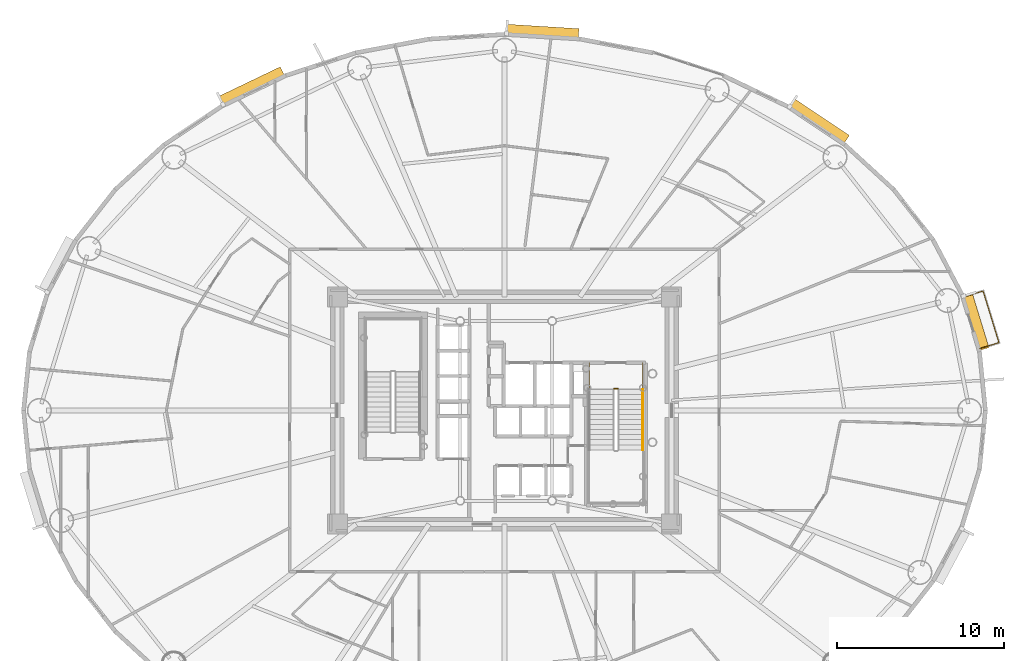
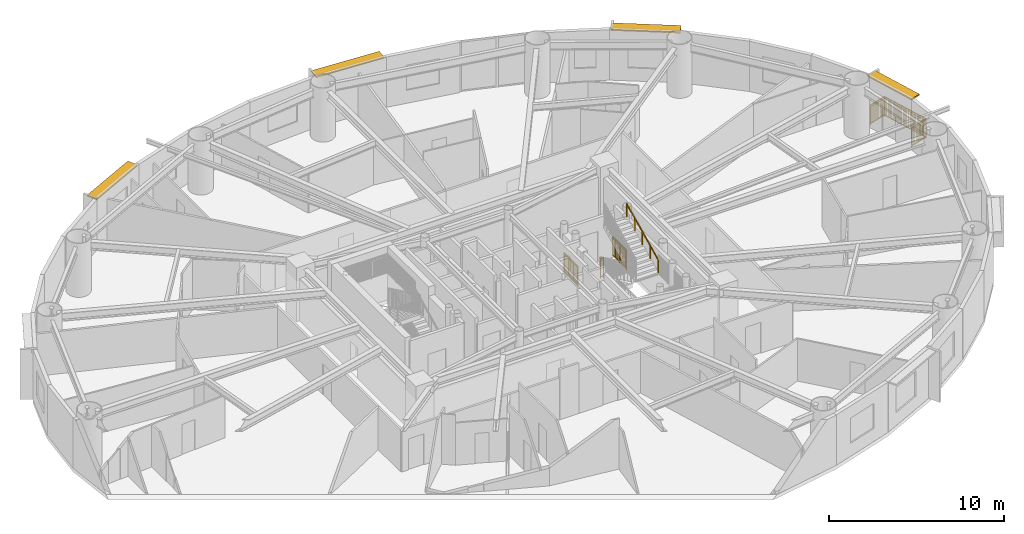
# One storey, part 18 of 18: 5 railings, 4 shading devices.
"""IFC4 building model written with IfcOpenShell, lengths in metres."""

from ifc_helpers import new_model, si_unit, direction, frame, origin, origin_2d, place, context, subcontext, project, spatial, rectangle, extrude, source, transform, mapped, material, layer, layer_set, type_object, element, save


model = new_model("IFC4")

# Units and contexts
model_context = context("Model", 3, precision=1e-05, world=origin(), true_north=direction((0.0, 1.0)))
body_context = subcontext(model_context, "Body", "Model", "MODEL_VIEW")
ifc_project = project(units=[si_unit("LENGTHUNIT", "METRE"), si_unit("AREAUNIT", "SQUARE_METRE"), si_unit("VOLUMEUNIT", "CUBIC_METRE"), si_unit("PLANEANGLEUNIT", "RADIAN"), si_unit("MASSUNIT", "GRAM", prefix="KILO")], contexts=[model_context])

# Site, building, storey
site_placement = place(None, origin())
site = spatial("IfcSite", under=ifc_project, at=site_placement, CompositionType="ELEMENT")
building_placement = place(site_placement, origin())
building = spatial("IfcBuilding", under=site, at=building_placement, Name="Linh Dai School and Residence Tower", CompositionType="ELEMENT")
storey_placement = place(building_placement, frame((0.0, 0.0, 100.949951171875)))
storey = spatial("IfcBuildingStorey", under=building, at=storey_placement, Name="L23", CompositionType="ELEMENT", Elevation=100.949951171875)

# Shading devices
ifc_material_1 = material(Name="Terracotta Ceramic Sunshade", Category="masonry")
ifc_layer = layer(ifc_material_1, 0.10009765625)
ifc_layer_set = layer_set([ifc_layer], Name="Terracotta Ceramic Sunshade")
shading_device_type = type_object("IfcShadingDeviceType", Name="SHD-TC-650", PredefinedType="USERDEFINED", material=ifc_layer_set)
shared_shape_1 = source(origin(), body_context, "Body", "SweptSolid", [
    extrude(rectangle(XDim=3.44384765625, YDim=0.64990234375, at=origin_2d()), origin(), (0.0, 0.0, 1.0), 0.10009765625),
])
shading_device_1_placement = place(storey_placement, frame((64.16845703125, 32.313720703125, 3.3798828125), z_axis=(0.0, 0.0, 1.0), x_axis=(0.293133528962, -0.956071511028, 0.0)))
element("IfcShadingDevice", 1, at=shading_device_1_placement, inside=storey, type_object=shading_device_type, Name="L23 Terracotta Horizontal Sunshade Band 02", ObjectType="SUNSHADE", PredefinedType="USERDEFINED", context=body_context, shape_type="MappedRepresentation", body=[
    mapped(shared_shape_1, transform((0.0, 0.0, 0.0), x_axis=(1.0, 0.0, 0.0), y_axis=(0.0, 1.0, 0.0), z_axis=(0.0, 0.0, 1.0), scale=1.0)),
])
shared_shape_2 = source(origin(), body_context, "Body", "SweptSolid", [
    extrude(rectangle(XDim=3.96484375, YDim=0.64990234375, at=origin_2d()), origin(), (0.0, 0.0, 1.0), 0.10009765625),
])
shading_device_2_placement = place(storey_placement, frame((54.80029296875, 44.288330078125, 3.3798828125), z_axis=(0.0, 0.0, 1.0), x_axis=(0.831240347736, -0.555913198527, 0.0)))
element("IfcShadingDevice", 2, at=shading_device_2_placement, inside=storey, type_object=shading_device_type, Name="L23 Terracotta Horizontal Sunshade Band 06", ObjectType="SUNSHADE", PredefinedType="USERDEFINED", context=body_context, shape_type="MappedRepresentation", body=[
    mapped(shared_shape_2, transform((0.0, 0.0, 0.0), x_axis=(1.0, 0.0, 0.0), y_axis=(0.0, 1.0, 0.0), z_axis=(0.0, 0.0, 1.0), scale=1.0)),
])
shared_shape_3 = source(origin(), body_context, "Body", "SweptSolid", [
    extrude(rectangle(XDim=4.33349609375, YDim=0.64990234375, at=origin_2d()), origin(), (0.0, 0.0, 1.0), 0.10009765625),
])
shading_device_3_placement = place(storey_placement, frame((38.270263671875, 49.650634765625, 3.3798828125), z_axis=(0.0, 0.0, 1.0), x_axis=(0.998106513123, -0.061509255091, 0.0)))
element("IfcShadingDevice", 3, at=shading_device_3_placement, inside=storey, type_object=shading_device_type, Name="L23 Terracotta Horizontal Sunshade Band 10", ObjectType="SUNSHADE", PredefinedType="USERDEFINED", context=body_context, shape_type="MappedRepresentation", body=[
    mapped(shared_shape_3, transform((0.0, 0.0, 0.0), x_axis=(1.0, 0.0, 0.0), y_axis=(0.0, 1.0, 0.0), z_axis=(0.0, 0.0, 1.0), scale=1.0)),
])
shared_shape_4 = source(origin(), body_context, "Body", "SweptSolid", [
    extrude(rectangle(XDim=4.1005859375, YDim=0.64990234375, at=origin_2d()), origin(), (0.0, 0.0, 1.0), 0.10009765625),
])
shading_device_4_placement = place(storey_placement, frame((20.877197265625, 46.38037109375, 3.3798828125), z_axis=(0.0, 0.0, 1.0), x_axis=(0.901577518371, 0.432617589064, 0.0)))
element("IfcShadingDevice", 4, at=shading_device_4_placement, inside=storey, type_object=shading_device_type, Name="L23 Terracotta Horizontal Sunshade Band 14", ObjectType="SUNSHADE", PredefinedType="USERDEFINED", context=body_context, shape_type="MappedRepresentation", body=[
    mapped(shared_shape_4, transform((0.0, 0.0, 0.0), x_axis=(1.0, 0.0, 0.0), y_axis=(0.0, 1.0, 0.0), z_axis=(0.0, 0.0, 1.0), scale=1.0)),
])

# Railings
ifc_material_2 = material(Name="Structural Steel S355JR", Category="steel")
railing_type_1 = type_object("IfcRailingType", Name="RL-BAL-1400", PredefinedType="BALUSTRADE", material=ifc_material_2)
shared_shape_5 = source(origin(), body_context, "Body", "SweptSolid", [
    extrude(rectangle(XDim=0.048095703125, YDim=0.048095703125, at=origin_2d()), frame((0.0, 0.0, 1.3759765625), z_axis=(0.95606039398, 0.293169785386, 0.0), x_axis=(-0.293169785386, 0.95606039398, 0.0)), (0.0, 0.0, 1.0), 1.179931640625),
    extrude(rectangle(XDim=0.048095703125, YDim=0.048095703125, at=origin_2d()), frame((0.0, 0.0, 0.10009765625), z_axis=(0.95606039398, 0.293169785386, 0.0), x_axis=(-0.293169785386, 0.95606039398, 0.0)), (0.0, 0.0, 1.0), 1.179931640625),
    extrude(rectangle(XDim=0.030029296875, YDim=0.030029296875, at=origin_2d()), frame((0.0, 0.0, 1.239990234375), z_axis=(0.95606039398, 0.293169785386, 0.0), x_axis=(-0.293169785386, 0.95606039398, 0.0)), (0.0, 0.0, 1.0), 1.179931640625),
    extrude(rectangle(XDim=0.02001953125, YDim=0.02001953125, at=origin_2d()), frame((0.086669921875, 0.026611328125, 0.10009765625)), (0.0, 0.0, 1.0), 1.251708984375),
    extrude(rectangle(XDim=0.02001953125, YDim=0.02001953125, at=origin_2d()), frame((0.173583984375, 0.05322265625, 0.10009765625)), (0.0, 0.0, 1.0), 1.251708984375),
    extrude(rectangle(XDim=0.02001953125, YDim=0.02001953125, at=origin_2d()), frame((0.26025390625, 0.079833984375, 0.10009765625)), (0.0, 0.0, 1.0), 1.251708984375),
    extrude(rectangle(XDim=0.02001953125, YDim=0.02001953125, at=origin_2d()), frame((0.34716796875, 0.1064453125, 0.10009765625)), (0.0, 0.0, 1.0), 1.251708984375),
    extrude(rectangle(XDim=0.02001953125, YDim=0.02001953125, at=origin_2d()), frame((0.433837890625, 0.133056640625, 0.10009765625)), (0.0, 0.0, 1.0), 1.251708984375),
    extrude(rectangle(XDim=0.02001953125, YDim=0.02001953125, at=origin_2d()), frame((0.520751953125, 0.15966796875, 0.10009765625)), (0.0, 0.0, 1.0), 1.251708984375),
    extrude(rectangle(XDim=0.02001953125, YDim=0.02001953125, at=origin_2d()), frame((0.607421875, 0.186279296875, 0.10009765625)), (0.0, 0.0, 1.0), 1.251708984375),
    extrude(rectangle(XDim=0.02001953125, YDim=0.02001953125, at=origin_2d()), frame((0.6943359375, 0.212890625, 0.10009765625)), (0.0, 0.0, 1.0), 1.251708984375),
    extrude(rectangle(XDim=0.02001953125, YDim=0.02001953125, at=origin_2d()), frame((0.781005859375, 0.239501953125, 0.10009765625)), (0.0, 0.0, 1.0), 1.251708984375),
    extrude(rectangle(XDim=0.02001953125, YDim=0.02001953125, at=origin_2d()), frame((0.867919921875, 0.26611328125, 0.10009765625)), (0.0, 0.0, 1.0), 1.251708984375),
    extrude(rectangle(XDim=0.02001953125, YDim=0.02001953125, at=origin_2d()), frame((0.95458984375, 0.292724609375, 0.10009765625)), (0.0, 0.0, 1.0), 1.251708984375),
    extrude(rectangle(XDim=0.02001953125, YDim=0.02001953125, at=origin_2d()), frame((1.04150390625, 0.3193359375, 0.10009765625)), (0.0, 0.0, 1.0), 1.251708984375),
    extrude(rectangle(XDim=0.048095703125, YDim=0.048095703125, at=origin_2d()), frame((1.128173828125, 0.345947265625, 1.3759765625), z_axis=(0.293144780589, -0.956068061183, 0.0), x_axis=(0.956068061183, 0.293144780589, 0.0)), (0.0, 0.0, 1.0), 3.227294921875),
    extrude(rectangle(XDim=0.048095703125, YDim=0.048095703125, at=origin_2d()), frame((1.128173828125, 0.345947265625, 0.10009765625), z_axis=(0.293144780589, -0.956068061183, 0.0), x_axis=(0.956068061183, 0.293144780589, 0.0)), (0.0, 0.0, 1.0), 3.227294921875),
    extrude(rectangle(XDim=0.030029296875, YDim=0.030029296875, at=origin_2d()), frame((1.128173828125, 0.345947265625, 1.239990234375), z_axis=(0.293144780589, -0.956068061183, 0.0), x_axis=(0.956068061183, 0.293144780589, 0.0)), (0.0, 0.0, 1.0), 3.227294921875),
    extrude(rectangle(XDim=0.02001953125, YDim=0.02001953125, at=origin_2d()), frame((1.15673828125, 0.25244140625, 0.10009765625)), (0.0, 0.0, 1.0), 1.251708984375),
    extrude(rectangle(XDim=0.02001953125, YDim=0.02001953125, at=origin_2d()), frame((1.185546875, 0.158935546875, 0.10009765625)), (0.0, 0.0, 1.0), 1.251708984375),
    extrude(rectangle(XDim=0.02001953125, YDim=0.02001953125, at=origin_2d()), frame((1.214111328125, 0.0654296875, 0.10009765625)), (0.0, 0.0, 1.0), 1.251708984375),
    extrude(rectangle(XDim=0.02001953125, YDim=0.02001953125, at=origin_2d()), frame((1.242919921875, -0.028076171875, 0.10009765625)), (0.0, 0.0, 1.0), 1.251708984375),
    extrude(rectangle(XDim=0.02001953125, YDim=0.02001953125, at=origin_2d()), frame((1.271484375, -0.12158203125, 0.10009765625)), (0.0, 0.0, 1.0), 1.251708984375),
    extrude(rectangle(XDim=0.02001953125, YDim=0.02001953125, at=origin_2d()), frame((1.30029296875, -0.215087890625, 0.10009765625)), (0.0, 0.0, 1.0), 1.251708984375),
    extrude(rectangle(XDim=0.02001953125, YDim=0.02001953125, at=origin_2d()), frame((1.328857421875, -0.30859375, 0.10009765625)), (0.0, 0.0, 1.0), 1.251708984375),
    extrude(rectangle(XDim=0.02001953125, YDim=0.02001953125, at=origin_2d()), frame((1.357421875, -0.402099609375, 0.10009765625)), (0.0, 0.0, 1.0), 1.251708984375),
    extrude(rectangle(XDim=0.02001953125, YDim=0.02001953125, at=origin_2d()), frame((1.38623046875, -0.49560546875, 0.10009765625)), (0.0, 0.0, 1.0), 1.251708984375),
    extrude(rectangle(XDim=0.02001953125, YDim=0.02001953125, at=origin_2d()), frame((1.414794921875, -0.589111328125, 0.10009765625)), (0.0, 0.0, 1.0), 1.251708984375),
    extrude(rectangle(XDim=0.02001953125, YDim=0.02001953125, at=origin_2d()), frame((1.47216796875, -0.776123046875, 0.10009765625)), (0.0, 0.0, 1.0), 1.251708984375),
    extrude(rectangle(XDim=0.02001953125, YDim=0.02001953125, at=origin_2d()), frame((1.5009765625, -0.86962890625, 0.10009765625)), (0.0, 0.0, 1.0), 1.251708984375),
    extrude(rectangle(XDim=0.02001953125, YDim=0.02001953125, at=origin_2d()), frame((1.529541015625, -0.963134765625, 0.10009765625)), (0.0, 0.0, 1.0), 1.251708984375),
    extrude(rectangle(XDim=0.02001953125, YDim=0.02001953125, at=origin_2d()), frame((1.55810546875, -1.056640625, 0.10009765625)), (0.0, 0.0, 1.0), 1.251708984375),
    extrude(rectangle(XDim=0.02001953125, YDim=0.02001953125, at=origin_2d()), frame((1.5869140625, -1.150146484375, 0.10009765625)), (0.0, 0.0, 1.0), 1.251708984375),
    extrude(rectangle(XDim=0.02001953125, YDim=0.02001953125, at=origin_2d()), frame((1.615478515625, -1.243408203125, 0.10009765625)), (0.0, 0.0, 1.0), 1.251708984375),
    extrude(rectangle(XDim=0.02001953125, YDim=0.02001953125, at=origin_2d()), frame((1.644287109375, -1.3369140625, 0.10009765625)), (0.0, 0.0, 1.0), 1.251708984375),
    extrude(rectangle(XDim=0.02001953125, YDim=0.02001953125, at=origin_2d()), frame((1.6728515625, -1.430419921875, 0.10009765625)), (0.0, 0.0, 1.0), 1.251708984375),
    extrude(rectangle(XDim=0.02001953125, YDim=0.02001953125, at=origin_2d()), frame((1.701416015625, -1.52392578125, 0.10009765625)), (0.0, 0.0, 1.0), 1.251708984375),
    extrude(rectangle(XDim=0.02001953125, YDim=0.02001953125, at=origin_2d()), frame((1.730224609375, -1.617431640625, 0.10009765625)), (0.0, 0.0, 1.0), 1.251708984375),
    extrude(rectangle(XDim=0.02001953125, YDim=0.02001953125, at=origin_2d()), frame((1.78759765625, -1.804443359375, 0.10009765625)), (0.0, 0.0, 1.0), 1.251708984375),
    extrude(rectangle(XDim=0.02001953125, YDim=0.02001953125, at=origin_2d()), frame((1.816162109375, -1.89794921875, 0.10009765625)), (0.0, 0.0, 1.0), 1.251708984375),
    extrude(rectangle(XDim=0.02001953125, YDim=0.02001953125, at=origin_2d()), frame((1.844970703125, -1.991455078125, 0.10009765625)), (0.0, 0.0, 1.0), 1.251708984375),
    extrude(rectangle(XDim=0.02001953125, YDim=0.02001953125, at=origin_2d()), frame((1.87353515625, -2.0849609375, 0.10009765625)), (0.0, 0.0, 1.0), 1.251708984375),
    extrude(rectangle(XDim=0.02001953125, YDim=0.02001953125, at=origin_2d()), frame((1.902099609375, -2.178466796875, 0.10009765625)), (0.0, 0.0, 1.0), 1.251708984375),
    extrude(rectangle(XDim=0.02001953125, YDim=0.02001953125, at=origin_2d()), frame((1.930908203125, -2.27197265625, 0.10009765625)), (0.0, 0.0, 1.0), 1.251708984375),
    extrude(rectangle(XDim=0.02001953125, YDim=0.02001953125, at=origin_2d()), frame((1.95947265625, -2.365478515625, 0.10009765625)), (0.0, 0.0, 1.0), 1.251708984375),
    extrude(rectangle(XDim=0.02001953125, YDim=0.02001953125, at=origin_2d()), frame((1.98828125, -2.458984375, 0.10009765625)), (0.0, 0.0, 1.0), 1.251708984375),
    extrude(rectangle(XDim=0.02001953125, YDim=0.02001953125, at=origin_2d()), frame((2.016845703125, -2.552490234375, 0.10009765625)), (0.0, 0.0, 1.0), 1.251708984375),
    extrude(rectangle(XDim=0.02001953125, YDim=0.02001953125, at=origin_2d()), frame((2.045654296875, -2.64599609375, 0.10009765625)), (0.0, 0.0, 1.0), 1.251708984375),
    extrude(rectangle(XDim=0.048095703125, YDim=0.048095703125, at=origin_2d()), frame((2.07421875, -2.739501953125, 1.3759765625), z_axis=(-0.95606039398, -0.293169785386, 0.0), x_axis=(0.293169785386, -0.95606039398, 0.0)), (0.0, 0.0, 1.0), 1.179931640625),
    extrude(rectangle(XDim=0.048095703125, YDim=0.048095703125, at=origin_2d()), frame((2.07421875, -2.739501953125, 0.10009765625), z_axis=(-0.95606039398, -0.293169785386, 0.0), x_axis=(0.293169785386, -0.95606039398, 0.0)), (0.0, 0.0, 1.0), 1.179931640625),
    extrude(rectangle(XDim=0.030029296875, YDim=0.030029296875, at=origin_2d()), frame((2.07421875, -2.739501953125, 1.239990234375), z_axis=(-0.95606039398, -0.293169785386, 0.0), x_axis=(0.293169785386, -0.95606039398, 0.0)), (0.0, 0.0, 1.0), 1.179931640625),
    extrude(rectangle(XDim=0.02001953125, YDim=0.02001953125, at=origin_2d()), frame((1.987548828125, -2.76611328125, 0.10009765625)), (0.0, 0.0, 1.0), 1.251708984375),
    extrude(rectangle(XDim=0.02001953125, YDim=0.02001953125, at=origin_2d()), frame((1.900634765625, -2.792724609375, 0.10009765625)), (0.0, 0.0, 1.0), 1.251708984375),
    extrude(rectangle(XDim=0.02001953125, YDim=0.02001953125, at=origin_2d()), frame((1.81396484375, -2.8193359375, 0.10009765625)), (0.0, 0.0, 1.0), 1.251708984375),
    extrude(rectangle(XDim=0.02001953125, YDim=0.02001953125, at=origin_2d()), frame((1.72705078125, -2.845947265625, 0.10009765625)), (0.0, 0.0, 1.0), 1.251708984375),
    extrude(rectangle(XDim=0.02001953125, YDim=0.02001953125, at=origin_2d()), frame((1.640380859375, -2.87255859375, 0.10009765625)), (0.0, 0.0, 1.0), 1.251708984375),
    extrude(rectangle(XDim=0.02001953125, YDim=0.02001953125, at=origin_2d()), frame((1.553466796875, -2.899169921875, 0.10009765625)), (0.0, 0.0, 1.0), 1.251708984375),
    extrude(rectangle(XDim=0.02001953125, YDim=0.02001953125, at=origin_2d()), frame((1.466796875, -2.92578125, 0.10009765625)), (0.0, 0.0, 1.0), 1.251708984375),
    extrude(rectangle(XDim=0.02001953125, YDim=0.02001953125, at=origin_2d()), frame((1.3798828125, -2.952392578125, 0.10009765625)), (0.0, 0.0, 1.0), 1.251708984375),
    extrude(rectangle(XDim=0.02001953125, YDim=0.02001953125, at=origin_2d()), frame((1.293212890625, -2.97900390625, 0.10009765625)), (0.0, 0.0, 1.0), 1.251708984375),
    extrude(rectangle(XDim=0.02001953125, YDim=0.02001953125, at=origin_2d()), frame((1.206298828125, -3.005615234375, 0.10009765625)), (0.0, 0.0, 1.0), 1.251708984375),
    extrude(rectangle(XDim=0.02001953125, YDim=0.02001953125, at=origin_2d()), frame((1.11962890625, -3.0322265625, 0.10009765625)), (0.0, 0.0, 1.0), 1.251708984375),
    extrude(rectangle(XDim=0.02001953125, YDim=0.02001953125, at=origin_2d()), frame((1.03271484375, -3.058837890625, 0.10009765625)), (0.0, 0.0, 1.0), 1.251708984375),
    extrude(rectangle(XDim=0.0419921875, YDim=0.0419921875, at=origin_2d()), origin(), (0.0, 0.0, 1.0), 1.3759765625),
    extrude(rectangle(XDim=0.0419921875, YDim=0.0419921875, at=origin_2d()), frame((1.128173828125, 0.345947265625, 0.0)), (0.0, 0.0, 1.0), 1.3759765625),
    extrude(rectangle(XDim=0.0419921875, YDim=0.0419921875, at=origin_2d()), frame((1.443603515625, -0.6826171875, 0.0)), (0.0, 0.0, 1.0), 1.3759765625),
    extrude(rectangle(XDim=0.0419921875, YDim=0.0419921875, at=origin_2d()), frame((1.7587890625, -1.7109375, 0.0)), (0.0, 0.0, 1.0), 1.3759765625),
    extrude(rectangle(XDim=0.0419921875, YDim=0.0419921875, at=origin_2d()), frame((2.07421875, -2.739501953125, 0.0)), (0.0, 0.0, 1.0), 1.3759765625),
    extrude(rectangle(XDim=0.0419921875, YDim=0.0419921875, at=origin_2d()), frame((0.946044921875, -3.08544921875, 0.0)), (0.0, 0.0, 1.0), 1.3759765625),
])
railing_1_placement = place(storey_placement, frame((63.504150390625, 33.7978515625, 0.0)))
element("IfcRailing", 5, at=railing_1_placement, inside=storey, type_object=railing_type_1, Name="L23 Balcony Safety Balustrade 02", PredefinedType="BALUSTRADE", context=body_context, shape_type="MappedRepresentation", body=[
    mapped(shared_shape_5, transform((0.0, 0.0, 0.0), x_axis=(1.0, 0.0, 0.0), y_axis=(0.0, 1.0, 0.0), z_axis=(0.0, 0.0, 1.0), scale=1.0)),
])
ifc_material_3 = material(Name="Brushed Stainless Steel Handrail", Category="steel")
railing_type_2 = type_object("IfcRailingType", Name="RL-ST-HANDRAIL-900", PredefinedType="HANDRAIL", material=ifc_material_3)
shared_shape_6 = source(origin(), body_context, "Body", "SweptSolid", [
    extrude(rectangle(XDim=0.048095703125, YDim=0.048095703125, at=origin_2d()), frame((0.0, 0.0, 0.8759765625), z_axis=(0.0, 0.901262522062, 0.433273431364), x_axis=(-1.0, 0.0, 0.0)), (0.0, 0.0, 1.0), 3.994384765625),
    extrude(rectangle(XDim=0.0419921875, YDim=0.0419921875, at=origin_2d()), origin(), (0.0, 0.0, 1.0), 0.8759765625),
    extrude(rectangle(XDim=0.0419921875, YDim=0.0419921875, at=origin_2d()), frame((0.0, 0.89990234375, 0.4326171875)), (0.0, 0.0, 1.0), 0.8759765625),
    extrude(rectangle(XDim=0.0419921875, YDim=0.0419921875, at=origin_2d()), frame((0.0, 1.800048828125, 0.865234375)), (0.0, 0.0, 1.0), 0.8759765625),
    extrude(rectangle(XDim=0.0419921875, YDim=0.0419921875, at=origin_2d()), frame((0.0, 2.7001953125, 1.298095703125)), (0.0, 0.0, 1.0), 0.8759765625),
    extrude(rectangle(XDim=0.0419921875, YDim=0.0419921875, at=origin_2d()), frame((0.0, 3.60009765625, 1.730712890625)), (0.0, 0.0, 1.0), 0.8759765625),
])
railing_2_placement = place(storey_placement, frame((44.27001953125, 24.64990234375, 2.019287109375)))
element("IfcRailing", 6, at=railing_2_placement, inside=storey, type_object=railing_type_2, Name="L23 ST2 stair handrail 2", PredefinedType="HANDRAIL", context=body_context, shape_type="MappedRepresentation", body=[
    mapped(shared_shape_6, transform((0.0, 0.0, 0.0), x_axis=(1.0, 0.0, 0.0), y_axis=(0.0, 1.0, 0.0), z_axis=(0.0, 0.0, 1.0), scale=1.0)),
])
railing_type_3 = type_object("IfcRailingType", Name="RL-ST-GUARD-1400", PredefinedType="GUARDRAIL", material=ifc_material_2)
shared_shape_7 = source(origin(), body_context, "Body", "SweptSolid", [
    extrude(rectangle(XDim=0.048095703125, YDim=0.048095703125, at=origin_2d()), frame((0.0, 0.0, 1.3759765625), z_axis=(1.0, 0.0, 0.0), x_axis=(0.0, 1.0, 0.0)), (0.0, 0.0, 1.0), 0.199951171875),
    extrude(rectangle(XDim=0.048095703125, YDim=0.048095703125, at=origin_2d()), frame((0.0, 0.0, 0.10009765625), z_axis=(1.0, 0.0, 0.0), x_axis=(0.0, 1.0, 0.0)), (0.0, 0.0, 1.0), 0.199951171875),
    extrude(rectangle(XDim=0.030029296875, YDim=0.030029296875, at=origin_2d()), frame((0.0, 0.0, 1.239990234375), z_axis=(1.0, 0.0, 0.0), x_axis=(0.0, 1.0, 0.0)), (0.0, 0.0, 1.0), 0.199951171875),
    extrude(rectangle(XDim=0.0419921875, YDim=0.0419921875, at=origin_2d()), origin(), (0.0, 0.0, 1.0), 1.3759765625),
    extrude(rectangle(XDim=0.0419921875, YDim=0.0419921875, at=origin_2d()), frame((0.199951171875, 0.0, 0.0)), (0.0, 0.0, 1.0), 1.3759765625),
])
railing_3_placement = place(storey_placement, frame((42.570068359375, 28.300048828125, 0.0)))
element("IfcRailing", 7, at=railing_3_placement, inside=storey, type_object=railing_type_3, Name="L23 ST2 stair guard 7", PredefinedType="GUARDRAIL", context=body_context, shape_type="MappedRepresentation", body=[
    mapped(shared_shape_7, transform((0.0, 0.0, 0.0), x_axis=(1.0, 0.0, 0.0), y_axis=(0.0, 1.0, 0.0), z_axis=(0.0, 0.0, 1.0), scale=1.0)),
])
shared_shape_8 = source(origin(), body_context, "Body", "SweptSolid", [
    extrude(rectangle(XDim=0.048095703125, YDim=0.048095703125, at=origin_2d()), frame((0.0, 0.0, 1.3759765625), z_axis=(0.0, -1.0, 0.0), x_axis=(1.0, 0.0, 0.0)), (0.0, 0.0, 1.0), 1.60009765625),
    extrude(rectangle(XDim=0.048095703125, YDim=0.048095703125, at=origin_2d()), frame((0.0, 0.0, 0.10009765625), z_axis=(0.0, -1.0, 0.0), x_axis=(1.0, 0.0, 0.0)), (0.0, 0.0, 1.0), 1.60009765625),
    extrude(rectangle(XDim=0.030029296875, YDim=0.030029296875, at=origin_2d()), frame((0.0, 0.0, 1.239990234375), z_axis=(0.0, -1.0, 0.0), x_axis=(1.0, 0.0, 0.0)), (0.0, 0.0, 1.0), 1.60009765625),
    extrude(rectangle(XDim=0.02001953125, YDim=0.02001953125, at=origin_2d()), frame((0.0, -0.09423828125, 0.10009765625)), (0.0, 0.0, 1.0), 1.251708984375),
    extrude(rectangle(XDim=0.02001953125, YDim=0.02001953125, at=origin_2d()), frame((0.0, -0.188232421875, 0.10009765625)), (0.0, 0.0, 1.0), 1.251708984375),
    extrude(rectangle(XDim=0.02001953125, YDim=0.02001953125, at=origin_2d()), frame((0.0, -0.282470703125, 0.10009765625)), (0.0, 0.0, 1.0), 1.251708984375),
    extrude(rectangle(XDim=0.02001953125, YDim=0.02001953125, at=origin_2d()), frame((0.0, -0.37646484375, 0.10009765625)), (0.0, 0.0, 1.0), 1.251708984375),
    extrude(rectangle(XDim=0.02001953125, YDim=0.02001953125, at=origin_2d()), frame((0.0, -0.470703125, 0.10009765625)), (0.0, 0.0, 1.0), 1.251708984375),
    extrude(rectangle(XDim=0.02001953125, YDim=0.02001953125, at=origin_2d()), frame((0.0, -0.564697265625, 0.10009765625)), (0.0, 0.0, 1.0), 1.251708984375),
    extrude(rectangle(XDim=0.02001953125, YDim=0.02001953125, at=origin_2d()), frame((0.0, -0.658935546875, 0.10009765625)), (0.0, 0.0, 1.0), 1.251708984375),
    extrude(rectangle(XDim=0.02001953125, YDim=0.02001953125, at=origin_2d()), frame((0.0, -0.7529296875, 0.10009765625)), (0.0, 0.0, 1.0), 1.251708984375),
    extrude(rectangle(XDim=0.02001953125, YDim=0.02001953125, at=origin_2d()), frame((0.0, -0.84716796875, 0.10009765625)), (0.0, 0.0, 1.0), 1.251708984375),
    extrude(rectangle(XDim=0.02001953125, YDim=0.02001953125, at=origin_2d()), frame((0.0, -0.941162109375, 0.10009765625)), (0.0, 0.0, 1.0), 1.251708984375),
    extrude(rectangle(XDim=0.02001953125, YDim=0.02001953125, at=origin_2d()), frame((0.0, -1.035400390625, 0.10009765625)), (0.0, 0.0, 1.0), 1.251708984375),
    extrude(rectangle(XDim=0.02001953125, YDim=0.02001953125, at=origin_2d()), frame((0.0, -1.12939453125, 0.10009765625)), (0.0, 0.0, 1.0), 1.251708984375),
    extrude(rectangle(XDim=0.02001953125, YDim=0.02001953125, at=origin_2d()), frame((0.0, -1.2236328125, 0.10009765625)), (0.0, 0.0, 1.0), 1.251708984375),
    extrude(rectangle(XDim=0.02001953125, YDim=0.02001953125, at=origin_2d()), frame((0.0, -1.317626953125, 0.10009765625)), (0.0, 0.0, 1.0), 1.251708984375),
    extrude(rectangle(XDim=0.02001953125, YDim=0.02001953125, at=origin_2d()), frame((0.0, -1.411865234375, 0.10009765625)), (0.0, 0.0, 1.0), 1.251708984375),
    extrude(rectangle(XDim=0.02001953125, YDim=0.02001953125, at=origin_2d()), frame((0.0, -1.505859375, 0.10009765625)), (0.0, 0.0, 1.0), 1.251708984375),
    extrude(rectangle(XDim=0.0419921875, YDim=0.0419921875, at=origin_2d()), origin(), (0.0, 0.0, 1.0), 1.3759765625),
    extrude(rectangle(XDim=0.0419921875, YDim=0.0419921875, at=origin_2d()), frame((0.0, -0.800048828125, 0.0)), (0.0, 0.0, 1.0), 1.3759765625),
    extrude(rectangle(XDim=0.0419921875, YDim=0.0419921875, at=origin_2d()), frame((0.0, -1.60009765625, 0.0)), (0.0, 0.0, 1.0), 1.3759765625),
])
for number, where, name in (
    (8, (41.070068359375, 29.85009765625, 0.0), "L23 ST2 stair guard 8"),
    (9, (44.27001953125, 29.85009765625, 0.0), "L23 ST2 stair guard 9"),
):
    element("IfcRailing", number, at=place(storey_placement, frame(where)), inside=storey, type_object=railing_type_3, Name=name, PredefinedType="GUARDRAIL", context=body_context, shape_type="MappedRepresentation", body=[
        mapped(shared_shape_8, transform((0.0, 0.0, 0.0), x_axis=(1.0, 0.0, 0.0), y_axis=(0.0, 1.0, 0.0), z_axis=(0.0, 0.0, 1.0), scale=1.0)),
    ])

save(model, "model.ifc")
